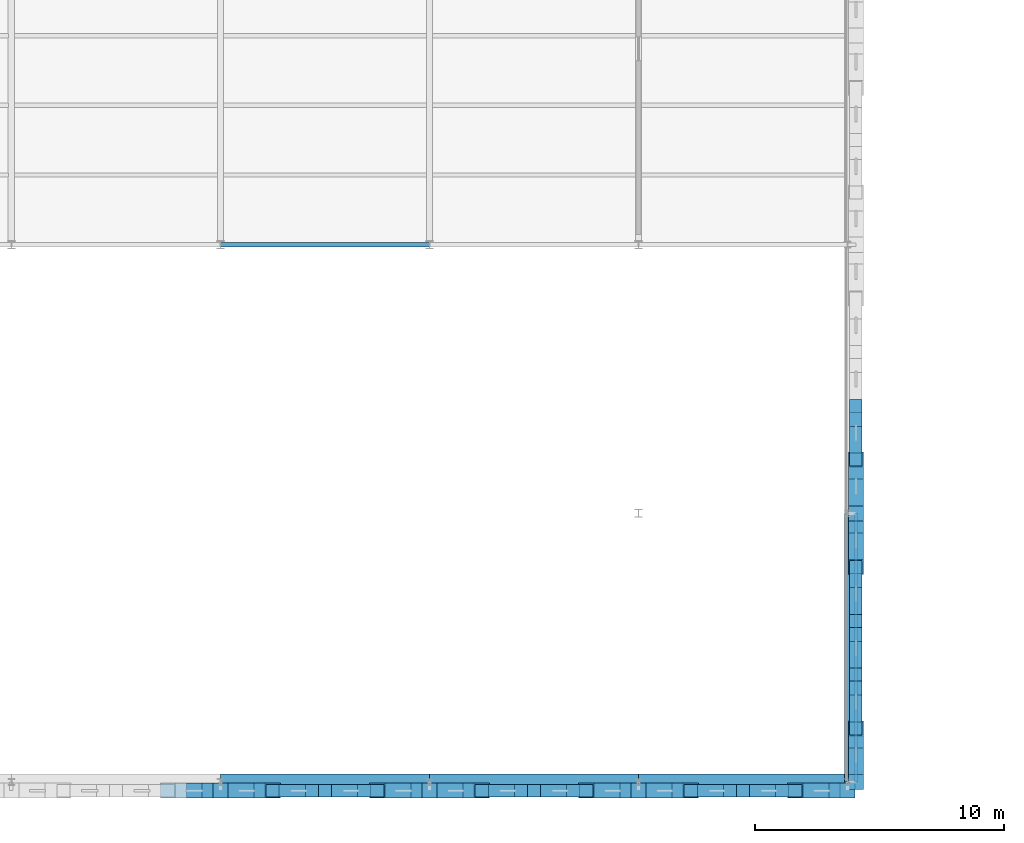
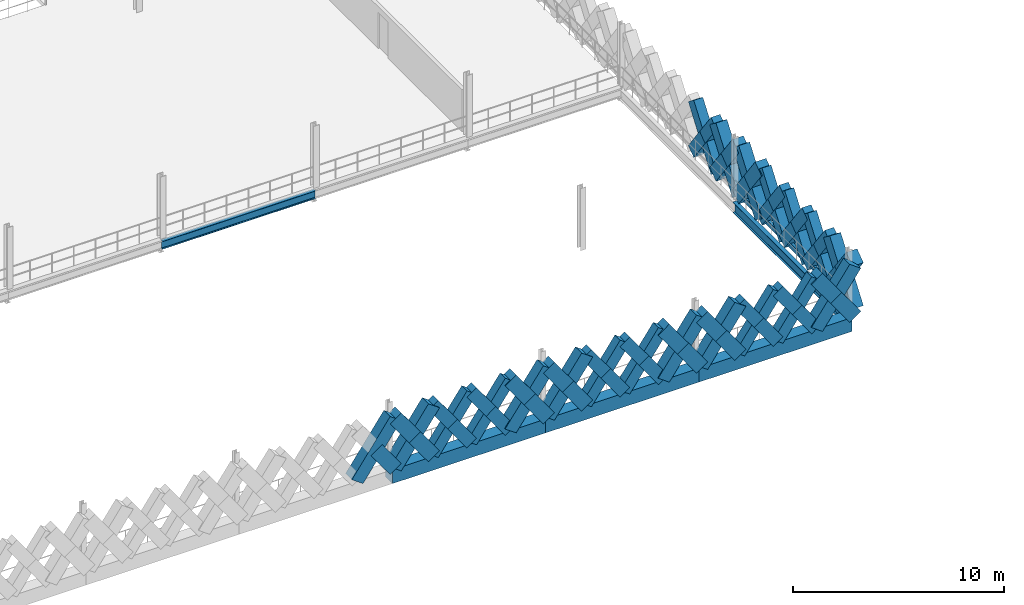
# One storey, part 18 of 47: 60 members, 5 beams.
"""IFC4 building model written with IfcOpenShell, lengths in metres."""

from ifc_helpers import new_model, si_unit, direction, frame, origin, origin_2d, place, context, subcontext, project, spatial, rectangle, hollow_rectangle, i_section, extrude, material, material_profile, profile_set, type_object, element, save


model = new_model("IFC4")

# Units and contexts
model_context = context("Model", 3, precision=1e-05, world=origin(), true_north=direction((0.0, 1.0)))
body_context = subcontext(model_context, "Body", "Model", "MODEL_VIEW")
ifc_project = project(units=[si_unit("LENGTHUNIT", "METRE"), si_unit("AREAUNIT", "SQUARE_METRE"), si_unit("VOLUMEUNIT", "CUBIC_METRE"), si_unit("PLANEANGLEUNIT", "RADIAN"), si_unit("MASSUNIT", "GRAM", prefix="KILO"), si_unit("THERMODYNAMICTEMPERATUREUNIT", "KELVIN"), si_unit("POWERUNIT", "WATT")], contexts=[model_context])

# Site, building, storey
site_placement = place(None, origin())
site = spatial("IfcSite", under=ifc_project, at=site_placement, CompositionType="ELEMENT")
building_placement = place(site_placement, origin())
building = spatial("IfcBuilding", under=site, at=building_placement, Name="Tembeka Court Mobility Hub", CompositionType="ELEMENT")
storey_placement = place(building_placement, frame((0.0, 0.0, 19.800048828125)))
storey = spatial("IfcBuildingStorey", under=building, at=storey_placement, Name="L05", CompositionType="ELEMENT", Elevation=19.800048828125)

# Beams
ifc_material_1 = material(Name="Steel S355", Category="steel")
ifc_material_profile_1 = material_profile(ifc_material_1, i_section(OverallWidth=0.18994140625, OverallDepth=0.45703125, WebThickness=0.009033203125, FlangeThickness=0.014404296875, FilletRadius=0.01025390625, at=origin_2d()), Name="UKB 457x191x74")
ifc_profile_set_1 = profile_set([ifc_material_profile_1], Name="Steel S355")
beam_type_1 = type_object("IfcBeamType", Name="BM-B01", PredefinedType="BEAM", material=ifc_profile_set_1)
beam_1_placement = place(storey_placement, frame((67.199951171875, 21.60009765625, -0.448486328125), z_axis=(1.0, 0.0, 0.0), x_axis=(0.0, 1.0, 0.0)))
element("IfcBeam", 1, at=beam_1_placement, inside=storey, type_object=beam_type_1, Name="Beam B01 (BM-L05-X2685)", PredefinedType="BEAM", context=body_context, shape_type="SweptSolid", body=[
    extrude(i_section(OverallWidth=0.18994140625, OverallDepth=0.45703125, WebThickness=0.009033203125, FlangeThickness=0.014404296875, FilletRadius=0.01025390625, at=origin_2d()), origin(), (0.0, 0.0, 1.0), 8.400146484375),
])
ifc_material_profile_2 = material_profile(ifc_material_1, i_section(OverallWidth=0.22900390625, OverallDepth=0.612060546875, WebThickness=0.011962890625, FlangeThickness=0.01953125, FilletRadius=0.0126953125, at=origin_2d()), Name="UKB 610x229x125")
ifc_profile_set_2 = profile_set([ifc_material_profile_2], Name="Steel S355")
beam_type_2 = type_object("IfcBeamType", Name="BM-G02", PredefinedType="USERDEFINED", material=ifc_profile_set_2)
beam_2_placement = place(storey_placement, frame((92.39990234375, 0.0, -0.526123046875), z_axis=(0.0, 1.0, 0.0), x_axis=(-1.0, 0.0, 0.0)))
element("IfcBeam", 2, at=beam_2_placement, inside=storey, type_object=beam_type_2, Name="Beam G02 (BM-L05-Y2862)", ObjectType="GIRDER", PredefinedType="USERDEFINED", context=body_context, shape_type="SweptSolid", body=[
    extrude(i_section(OverallWidth=0.22900390625, OverallDepth=0.612060546875, WebThickness=0.011962890625, FlangeThickness=0.01953125, FilletRadius=0.0126953125, at=origin_2d()), origin(), (0.0, 0.0, 1.0), 10.800048828125),
])
ifc_material_2 = material(Name="Precast concrete C45/55", Category="concrete")
ifc_material_profile_3 = material_profile(ifc_material_2, rectangle(XDim=0.64990234375, YDim=0.800048828125, at=origin_2d()), Name="PC-SP 650x800")
ifc_profile_set_3 = profile_set([ifc_material_profile_3], Name="Precast concrete C45/55")
beam_type_3 = type_object("IfcBeamType", Name="BM-SP01", PredefinedType="SPANDREL", material=ifc_profile_set_3)
beam_3_placement = place(storey_placement, frame((67.199951171875, 0.0, -0.6201171875), z_axis=(1.0, 0.0, 0.0), x_axis=(0.0, 1.0, 0.0)))
element("IfcBeam", 3, at=beam_3_placement, inside=storey, type_object=beam_type_3, Name="Beam SP01 (BM-L05-X2666)", PredefinedType="SPANDREL", context=body_context, shape_type="SweptSolid", body=[
    extrude(rectangle(XDim=0.64990234375, YDim=0.800048828125, at=origin_2d()), origin(), (0.0, 0.0, 1.0), 8.400146484375),
])
for number, where, z_axis, x_axis, name in (
    (4, (75.60009765625, 0.0, -0.6201171875), (1.0, 0.0, 0.0), (0.0, 1.0, 0.0), "Beam SP01 (BM-L05-X2667)"),
    (5, (84.0, 0.0, -0.6201171875), (1.0, 0.0, 0.0), (0.0, 1.0, 0.0), "Beam SP01 (BM-L05-X2668)"),
):
    element("IfcBeam", number, at=place(storey_placement, frame(where, z_axis=z_axis, x_axis=x_axis)), inside=storey, type_object=beam_type_3, Name=name, PredefinedType="SPANDREL", context=body_context, shape_type="SweptSolid", body=[
        extrude(rectangle(XDim=0.64990234375, YDim=0.800048828125, at=origin_2d()), origin(), (0.0, 0.0, 1.0), 8.39990234375),
    ])

# Members
ifc_material_profile_4 = material_profile(ifc_material_2, rectangle(XDim=0.5, YDim=0.64990234375, at=origin_2d()), Name="PC-DIAG 500x650")
ifc_profile_set_4 = profile_set([ifc_material_profile_4], Name="Precast concrete C45/55")
member_type_1 = type_object("IfcMemberType", Name="MEM-DL01", PredefinedType="BRACE", material=ifc_profile_set_4)
member_1_placement = place(storey_placement, frame((69.300048828125, -0.340087890625, 0.02001953125), z_axis=(0.58253161945, 0.0, 0.812808041509), x_axis=(0.0, 1.0, 0.0)))
element("IfcMember", 6, at=member_1_placement, inside=storey, type_object=member_type_1, Name="Precast diamond lattice continuous strand DL01 (L05-822A)", PredefinedType="BRACE", context=body_context, shape_type="SweptSolid", body=[
    extrude(rectangle(XDim=0.5, YDim=0.64990234375, at=origin_2d()), origin(), (0.0, 0.0, 1.0), 3.604736328125),
])
member_2_placement = place(storey_placement, frame((71.39990234375, -0.340087890625, 0.02001953125), z_axis=(-0.582518941428, 0.0, 0.812817127574), x_axis=(0.0, -1.0, 0.0)))
element("IfcMember", 7, at=member_2_placement, inside=storey, type_object=member_type_1, Name="Precast diamond lattice split lower strand DL01 (L05-822B1)", PredefinedType="BRACE", context=body_context, shape_type="SweptSolid", body=[
    extrude(rectangle(XDim=0.5, YDim=0.64990234375, at=origin_2d()), origin(), (0.0, 0.0, 1.0), 1.80224609375),
])
member_3_placement = place(storey_placement, frame((70.35009765625, -0.340087890625, 1.48486328125), z_axis=(-0.582544294934, 0.0, 0.812798956963), x_axis=(0.0, -1.0, 0.0)))
element("IfcMember", 8, at=member_3_placement, inside=storey, type_object=member_type_1, Name="Precast diamond lattice split upper strand DL01 (L05-822B2)", PredefinedType="BRACE", context=body_context, shape_type="SweptSolid", body=[
    extrude(rectangle(XDim=0.5, YDim=0.64990234375, at=origin_2d()), origin(), (0.0, 0.0, 1.0), 1.802490234375),
])
member_4_placement = place(storey_placement, frame((71.39990234375, -0.340087890625, 0.02001953125), z_axis=(0.582576362011, 0.0, 0.812775973086), x_axis=(0.0, 1.0, 0.0)))
element("IfcMember", 9, at=member_4_placement, inside=storey, type_object=member_type_1, Name="Precast diamond lattice continuous strand DL01 (L05-823A)", PredefinedType="BRACE", context=body_context, shape_type="SweptSolid", body=[
    extrude(rectangle(XDim=0.5, YDim=0.64990234375, at=origin_2d()), origin(), (0.0, 0.0, 1.0), 3.604736328125),
])
member_5_placement = place(storey_placement, frame((73.5, -0.340087890625, 0.02001953125), z_axis=(-0.582608431711, 0.0, 0.812752985414), x_axis=(0.0, -1.0, 0.0)))
element("IfcMember", 10, at=member_5_placement, inside=storey, type_object=member_type_1, Name="Precast diamond lattice split lower strand DL01 (L05-823B1)", PredefinedType="BRACE", context=body_context, shape_type="SweptSolid", body=[
    extrude(rectangle(XDim=0.5, YDim=0.64990234375, at=origin_2d()), origin(), (0.0, 0.0, 1.0), 1.80224609375),
])
member_6_placement = place(storey_placement, frame((72.449951171875, -0.340087890625, 1.48486328125), z_axis=(-0.582544294934, 0.0, 0.812798956963), x_axis=(0.0, -1.0, 0.0)))
element("IfcMember", 11, at=member_6_placement, inside=storey, type_object=member_type_1, Name="Precast diamond lattice split upper strand DL01 (L05-823B2)", PredefinedType="BRACE", context=body_context, shape_type="SweptSolid", body=[
    extrude(rectangle(XDim=0.5, YDim=0.64990234375, at=origin_2d()), origin(), (0.0, 0.0, 1.0), 1.802490234375),
])
member_7_placement = place(storey_placement, frame((77.699951171875, -0.340087890625, 0.02001953125), z_axis=(0.582576362011, 0.0, 0.812775973086), x_axis=(0.0, 1.0, 0.0)))
element("IfcMember", 12, at=member_7_placement, inside=storey, type_object=member_type_1, Name="Precast diamond lattice continuous strand DL01 (L05-826A)", PredefinedType="BRACE", context=body_context, shape_type="SweptSolid", body=[
    extrude(rectangle(XDim=0.5, YDim=0.64990234375, at=origin_2d()), origin(), (0.0, 0.0, 1.0), 3.604736328125),
])
member_8_placement = place(storey_placement, frame((79.800048828125, -0.340087890625, 0.02001953125), z_axis=(-0.582608431711, 0.0, 0.812752985414), x_axis=(0.0, -1.0, 0.0)))
element("IfcMember", 13, at=member_8_placement, inside=storey, type_object=member_type_1, Name="Precast diamond lattice split lower strand DL01 (L05-826B1)", PredefinedType="BRACE", context=body_context, shape_type="SweptSolid", body=[
    extrude(rectangle(XDim=0.5, YDim=0.64990234375, at=origin_2d()), origin(), (0.0, 0.0, 1.0), 1.80224609375),
])
member_9_placement = place(storey_placement, frame((78.75, -0.340087890625, 1.48486328125), z_axis=(-0.582544294934, 0.0, 0.812798956963), x_axis=(0.0, -1.0, 0.0)))
element("IfcMember", 14, at=member_9_placement, inside=storey, type_object=member_type_1, Name="Precast diamond lattice split upper strand DL01 (L05-826B2)", PredefinedType="BRACE", context=body_context, shape_type="SweptSolid", body=[
    extrude(rectangle(XDim=0.5, YDim=0.64990234375, at=origin_2d()), origin(), (0.0, 0.0, 1.0), 1.802490234375),
])
member_10_placement = place(storey_placement, frame((79.800048828125, -0.340087890625, 0.02001953125), z_axis=(0.58253161945, 0.0, 0.812808041509), x_axis=(0.0, 1.0, 0.0)))
element("IfcMember", 15, at=member_10_placement, inside=storey, type_object=member_type_1, Name="Precast diamond lattice continuous strand DL01 (L05-827A)", PredefinedType="BRACE", context=body_context, shape_type="SweptSolid", body=[
    extrude(rectangle(XDim=0.5, YDim=0.64990234375, at=origin_2d()), origin(), (0.0, 0.0, 1.0), 3.604736328125),
])
member_11_placement = place(storey_placement, frame((81.89990234375, -0.340087890625, 0.02001953125), z_axis=(-0.582518941428, 0.0, 0.812817127574), x_axis=(0.0, -1.0, 0.0)))
element("IfcMember", 16, at=member_11_placement, inside=storey, type_object=member_type_1, Name="Precast diamond lattice split lower strand DL01 (L05-827B1)", PredefinedType="BRACE", context=body_context, shape_type="SweptSolid", body=[
    extrude(rectangle(XDim=0.5, YDim=0.64990234375, at=origin_2d()), origin(), (0.0, 0.0, 1.0), 1.80224609375),
])
member_12_placement = place(storey_placement, frame((80.85009765625, -0.340087890625, 1.48486328125), z_axis=(-0.582544294934, 0.0, 0.812798956963), x_axis=(0.0, -1.0, 0.0)))
element("IfcMember", 17, at=member_12_placement, inside=storey, type_object=member_type_1, Name="Precast diamond lattice split upper strand DL01 (L05-827B2)", PredefinedType="BRACE", context=body_context, shape_type="SweptSolid", body=[
    extrude(rectangle(XDim=0.5, YDim=0.64990234375, at=origin_2d()), origin(), (0.0, 0.0, 1.0), 1.802490234375),
])
member_13_placement = place(storey_placement, frame((86.10009765625, -0.340087890625, 0.02001953125), z_axis=(0.58253161945, 0.0, 0.812808041509), x_axis=(0.0, 1.0, 0.0)))
element("IfcMember", 18, at=member_13_placement, inside=storey, type_object=member_type_1, Name="Precast diamond lattice continuous strand DL01 (L05-830A)", PredefinedType="BRACE", context=body_context, shape_type="SweptSolid", body=[
    extrude(rectangle(XDim=0.5, YDim=0.64990234375, at=origin_2d()), origin(), (0.0, 0.0, 1.0), 3.604736328125),
])
member_14_placement = place(storey_placement, frame((88.199951171875, -0.340087890625, 0.02001953125), z_axis=(-0.582608431711, 0.0, 0.812752985414), x_axis=(0.0, -1.0, 0.0)))
element("IfcMember", 19, at=member_14_placement, inside=storey, type_object=member_type_1, Name="Precast diamond lattice split lower strand DL01 (L05-830B1)", PredefinedType="BRACE", context=body_context, shape_type="SweptSolid", body=[
    extrude(rectangle(XDim=0.5, YDim=0.64990234375, at=origin_2d()), origin(), (0.0, 0.0, 1.0), 1.80224609375),
])
member_15_placement = place(storey_placement, frame((87.14990234375, -0.340087890625, 1.48486328125), z_axis=(-0.582454804382, 0.0, 0.812863088627), x_axis=(0.0, -1.0, 0.0)))
element("IfcMember", 20, at=member_15_placement, inside=storey, type_object=member_type_1, Name="Precast diamond lattice split upper strand DL01 (L05-830B2)", PredefinedType="BRACE", context=body_context, shape_type="SweptSolid", body=[
    extrude(rectangle(XDim=0.5, YDim=0.64990234375, at=origin_2d()), origin(), (0.0, 0.0, 1.0), 1.802490234375),
])
member_16_placement = place(storey_placement, frame((88.199951171875, -0.340087890625, 0.02001953125), z_axis=(0.582576362011, 0.0, 0.812775973086), x_axis=(0.0, 1.0, 0.0)))
element("IfcMember", 21, at=member_16_placement, inside=storey, type_object=member_type_1, Name="Precast diamond lattice continuous strand DL01 (L05-831A)", PredefinedType="BRACE", context=body_context, shape_type="SweptSolid", body=[
    extrude(rectangle(XDim=0.5, YDim=0.64990234375, at=origin_2d()), origin(), (0.0, 0.0, 1.0), 3.604736328125),
])
member_17_placement = place(storey_placement, frame((90.300048828125, -0.340087890625, 0.02001953125), z_axis=(-0.582608431711, 0.0, 0.812752985414), x_axis=(0.0, -1.0, 0.0)))
element("IfcMember", 22, at=member_17_placement, inside=storey, type_object=member_type_1, Name="Precast diamond lattice split lower strand DL01 (L05-831B1)", PredefinedType="BRACE", context=body_context, shape_type="SweptSolid", body=[
    extrude(rectangle(XDim=0.5, YDim=0.64990234375, at=origin_2d()), origin(), (0.0, 0.0, 1.0), 1.80224609375),
])
member_18_placement = place(storey_placement, frame((89.25, -0.340087890625, 1.48486328125), z_axis=(-0.582544294934, 0.0, 0.812798956963), x_axis=(0.0, -1.0, 0.0)))
element("IfcMember", 23, at=member_18_placement, inside=storey, type_object=member_type_1, Name="Precast diamond lattice split upper strand DL01 (L05-831B2)", PredefinedType="BRACE", context=body_context, shape_type="SweptSolid", body=[
    extrude(rectangle(XDim=0.5, YDim=0.64990234375, at=origin_2d()), origin(), (0.0, 0.0, 1.0), 1.802490234375),
])
member_19_placement = place(storey_placement, frame((92.739990234375, 2.159912109375, 0.02001953125), z_axis=(0.0, 0.593423219328, 0.804890602978), x_axis=(-1.0, 0.0, 0.0)))
element("IfcMember", 24, at=member_19_placement, inside=storey, type_object=member_type_1, Name="Precast diamond lattice continuous strand DL01 (L05-934C)", PredefinedType="BRACE", context=body_context, shape_type="SweptSolid", body=[
    extrude(rectangle(XDim=0.5, YDim=0.64990234375, at=origin_2d()), origin(), (0.0, 0.0, 1.0), 3.64013671875),
])
for number, where, z_axis, x_axis, name in (
    (25, (92.739990234375, 4.320068359375, 0.02001953125), (0.0, -0.593455255298, 0.804866982773), (1.0, 0.0, 0.0), "Precast diamond lattice split lower strand DL01 (L05-934D1)"),
    (26, (92.739990234375, 3.239990234375, 1.48486328125), (0.0, -0.593391185876, 0.804914219358), (1.0, 0.0, 0.0), "Precast diamond lattice split upper strand DL01 (L05-934D2)"),
):
    element("IfcMember", number, at=place(storey_placement, frame(where, z_axis=z_axis, x_axis=x_axis)), inside=storey, type_object=member_type_1, Name=name, PredefinedType="BRACE", context=body_context, shape_type="SweptSolid", body=[
        extrude(rectangle(XDim=0.5, YDim=0.64990234375, at=origin_2d()), origin(), (0.0, 0.0, 1.0), 1.820068359375),
    ])
member_20_placement = place(storey_placement, frame((92.739990234375, 4.320068359375, 0.02001953125), z_axis=(0.0, 0.593379766398, 0.804922637792), x_axis=(-1.0, 0.0, 0.0)))
element("IfcMember", 27, at=member_20_placement, inside=storey, type_object=member_type_1, Name="Precast diamond lattice continuous strand DL01 (L05-935C)", PredefinedType="BRACE", context=body_context, shape_type="SweptSolid", body=[
    extrude(rectangle(XDim=0.5, YDim=0.64990234375, at=origin_2d()), origin(), (0.0, 0.0, 1.0), 3.64013671875),
])
for number, where, z_axis, x_axis, name in (
    (28, (92.739990234375, 6.47998046875, 0.02001953125), (0.0, -0.593455255298, 0.804866982773), (1.0, 0.0, 0.0), "Precast diamond lattice split lower strand DL01 (L05-935D1)"),
    (29, (92.739990234375, 5.39990234375, 1.48486328125), (0.0, -0.593304274421, 0.804978284151), (1.0, 0.0, 0.0), "Precast diamond lattice split upper strand DL01 (L05-935D2)"),
):
    element("IfcMember", number, at=place(storey_placement, frame(where, z_axis=z_axis, x_axis=x_axis)), inside=storey, type_object=member_type_1, Name=name, PredefinedType="BRACE", context=body_context, shape_type="SweptSolid", body=[
        extrude(rectangle(XDim=0.5, YDim=0.64990234375, at=origin_2d()), origin(), (0.0, 0.0, 1.0), 1.820068359375),
    ])
member_21_placement = place(storey_placement, frame((92.739990234375, 6.47998046875, 0.02001953125), z_axis=(0.0, 0.593379766398, 0.804922637792), x_axis=(-1.0, 0.0, 0.0)))
element("IfcMember", 30, at=member_21_placement, inside=storey, type_object=member_type_1, Name="Precast diamond lattice continuous strand DL01 (L05-936C)", PredefinedType="BRACE", context=body_context, shape_type="SweptSolid", body=[
    extrude(rectangle(XDim=0.5, YDim=0.64990234375, at=origin_2d()), origin(), (0.0, 0.0, 1.0), 3.64013671875),
])
member_22_placement = place(storey_placement, frame((92.739990234375, 8.639892578125, 0.02001953125), z_axis=(0.0, -0.593368344659, 0.804931057642), x_axis=(1.0, 0.0, 0.0)))
element("IfcMember", 31, at=member_22_placement, inside=storey, type_object=member_type_1, Name="Precast diamond lattice split lower strand DL01 (L05-936D1)", PredefinedType="BRACE", context=body_context, shape_type="SweptSolid", body=[
    extrude(rectangle(XDim=0.5, YDim=0.64990234375, at=origin_2d()), origin(), (0.0, 0.0, 1.0), 1.81982421875),
])
member_23_placement = place(storey_placement, frame((92.739990234375, 7.56005859375, 1.48486328125), z_axis=(0.0, -0.593391185876, 0.804914219358), x_axis=(1.0, 0.0, 0.0)))
element("IfcMember", 32, at=member_23_placement, inside=storey, type_object=member_type_1, Name="Precast diamond lattice split upper strand DL01 (L05-936D2)", PredefinedType="BRACE", context=body_context, shape_type="SweptSolid", body=[
    extrude(rectangle(XDim=0.5, YDim=0.64990234375, at=origin_2d()), origin(), (0.0, 0.0, 1.0), 1.820068359375),
])
member_24_placement = place(storey_placement, frame((92.739990234375, 12.9599609375, 0.02001953125), z_axis=(0.0, 0.593423219328, 0.804890602978), x_axis=(-1.0, 0.0, 0.0)))
element("IfcMember", 33, at=member_24_placement, inside=storey, type_object=member_type_1, Name="Precast diamond lattice continuous strand DL01 (L05-939C)", PredefinedType="BRACE", context=body_context, shape_type="SweptSolid", body=[
    extrude(rectangle(XDim=0.5, YDim=0.64990234375, at=origin_2d()), origin(), (0.0, 0.0, 1.0), 3.64013671875),
])
for number, where, z_axis, x_axis, name in (
    (34, (92.739990234375, 15.1201171875, 0.02001953125), (0.0, -0.593455255298, 0.804866982773), (1.0, 0.0, 0.0), "Precast diamond lattice split lower strand DL01 (L05-939D1)"),
    (35, (92.739990234375, 14.0400390625, 1.48486328125), (0.0, -0.593391185876, 0.804914219358), (1.0, 0.0, 0.0), "Precast diamond lattice split upper strand DL01 (L05-939D2)"),
):
    element("IfcMember", number, at=place(storey_placement, frame(where, z_axis=z_axis, x_axis=x_axis)), inside=storey, type_object=member_type_1, Name=name, PredefinedType="BRACE", context=body_context, shape_type="SweptSolid", body=[
        extrude(rectangle(XDim=0.5, YDim=0.64990234375, at=origin_2d()), origin(), (0.0, 0.0, 1.0), 1.820068359375),
    ])
ifc_material_profile_5 = material_profile(ifc_material_2, rectangle(XDim=0.60009765625, YDim=0.75, at=origin_2d()), Name="PC-DIAG 600x750")
ifc_profile_set_5 = profile_set([ifc_material_profile_5], Name="Precast concrete C45/55")
member_type_2 = type_object("IfcMemberType", Name="MEM-DL02", PredefinedType="BRACE", material=ifc_profile_set_5)
member_25_placement = place(storey_placement, frame((65.10009765625, -0.340087890625, 0.02001953125), z_axis=(0.58253161945, 0.0, 0.812808041509), x_axis=(0.0, 1.0, 0.0)))
element("IfcMember", 36, at=member_25_placement, inside=storey, type_object=member_type_2, Name="Precast diamond lattice continuous strand DL02 (L05-820A)", PredefinedType="BRACE", context=body_context, shape_type="SweptSolid", body=[
    extrude(rectangle(XDim=0.60009765625, YDim=0.75, at=origin_2d()), origin(), (0.0, 0.0, 1.0), 3.604736328125),
])
member_26_placement = place(storey_placement, frame((67.199951171875, -0.340087890625, 0.02001953125), z_axis=(-0.582608431711, 0.0, 0.812752985414), x_axis=(0.0, -1.0, 0.0)))
element("IfcMember", 37, at=member_26_placement, inside=storey, type_object=member_type_2, Name="Precast diamond lattice split lower strand DL02 (L05-820B1)", PredefinedType="BRACE", context=body_context, shape_type="SweptSolid", body=[
    extrude(rectangle(XDim=0.60009765625, YDim=0.75, at=origin_2d()), origin(), (0.0, 0.0, 1.0), 1.80224609375),
])
member_27_placement = place(storey_placement, frame((67.199951171875, -0.340087890625, 0.02001953125), z_axis=(0.582576362011, 0.0, 0.812775973086), x_axis=(0.0, 1.0, 0.0)))
element("IfcMember", 38, at=member_27_placement, inside=storey, type_object=member_type_2, Name="Precast diamond lattice continuous strand DL02 (L05-821A)", PredefinedType="BRACE", context=body_context, shape_type="SweptSolid", body=[
    extrude(rectangle(XDim=0.60009765625, YDim=0.75, at=origin_2d()), origin(), (0.0, 0.0, 1.0), 3.604736328125),
])
member_28_placement = place(storey_placement, frame((69.300048828125, -0.340087890625, 0.02001953125), z_axis=(-0.582608431711, 0.0, 0.812752985414), x_axis=(0.0, -1.0, 0.0)))
element("IfcMember", 39, at=member_28_placement, inside=storey, type_object=member_type_2, Name="Precast diamond lattice split lower strand DL02 (L05-821B1)", PredefinedType="BRACE", context=body_context, shape_type="SweptSolid", body=[
    extrude(rectangle(XDim=0.60009765625, YDim=0.75, at=origin_2d()), origin(), (0.0, 0.0, 1.0), 1.80224609375),
])
member_29_placement = place(storey_placement, frame((68.25, -0.340087890625, 1.48486328125), z_axis=(-0.582544294934, 0.0, 0.812798956963), x_axis=(0.0, -1.0, 0.0)))
element("IfcMember", 40, at=member_29_placement, inside=storey, type_object=member_type_2, Name="Precast diamond lattice split upper strand DL02 (L05-821B2)", PredefinedType="BRACE", context=body_context, shape_type="SweptSolid", body=[
    extrude(rectangle(XDim=0.60009765625, YDim=0.75, at=origin_2d()), origin(), (0.0, 0.0, 1.0), 1.802490234375),
])
member_30_placement = place(storey_placement, frame((73.5, -0.340087890625, 0.02001953125), z_axis=(0.582576362011, 0.0, 0.812775973086), x_axis=(0.0, 1.0, 0.0)))
element("IfcMember", 41, at=member_30_placement, inside=storey, type_object=member_type_2, Name="Precast diamond lattice continuous strand DL02 (L05-824A)", PredefinedType="BRACE", context=body_context, shape_type="SweptSolid", body=[
    extrude(rectangle(XDim=0.60009765625, YDim=0.75, at=origin_2d()), origin(), (0.0, 0.0, 1.0), 3.604736328125),
])
member_31_placement = place(storey_placement, frame((75.60009765625, -0.340087890625, 0.02001953125), z_axis=(-0.582608431711, 0.0, 0.812752985414), x_axis=(0.0, -1.0, 0.0)))
element("IfcMember", 42, at=member_31_placement, inside=storey, type_object=member_type_2, Name="Precast diamond lattice split lower strand DL02 (L05-824B1)", PredefinedType="BRACE", context=body_context, shape_type="SweptSolid", body=[
    extrude(rectangle(XDim=0.60009765625, YDim=0.75, at=origin_2d()), origin(), (0.0, 0.0, 1.0), 1.80224609375),
])
member_32_placement = place(storey_placement, frame((74.550048828125, -0.340087890625, 1.48486328125), z_axis=(-0.582544294934, 0.0, 0.812798956963), x_axis=(0.0, -1.0, 0.0)))
element("IfcMember", 43, at=member_32_placement, inside=storey, type_object=member_type_2, Name="Precast diamond lattice split upper strand DL02 (L05-824B2)", PredefinedType="BRACE", context=body_context, shape_type="SweptSolid", body=[
    extrude(rectangle(XDim=0.60009765625, YDim=0.75, at=origin_2d()), origin(), (0.0, 0.0, 1.0), 1.802490234375),
])
member_33_placement = place(storey_placement, frame((75.60009765625, -0.340087890625, 0.02001953125), z_axis=(0.58253161945, 0.0, 0.812808041509), x_axis=(0.0, 1.0, 0.0)))
element("IfcMember", 44, at=member_33_placement, inside=storey, type_object=member_type_2, Name="Precast diamond lattice continuous strand DL02 (L05-825A)", PredefinedType="BRACE", context=body_context, shape_type="SweptSolid", body=[
    extrude(rectangle(XDim=0.60009765625, YDim=0.75, at=origin_2d()), origin(), (0.0, 0.0, 1.0), 3.604736328125),
])
member_34_placement = place(storey_placement, frame((77.699951171875, -0.340087890625, 0.02001953125), z_axis=(-0.582608431711, 0.0, 0.812752985414), x_axis=(0.0, -1.0, 0.0)))
element("IfcMember", 45, at=member_34_placement, inside=storey, type_object=member_type_2, Name="Precast diamond lattice split lower strand DL02 (L05-825B1)", PredefinedType="BRACE", context=body_context, shape_type="SweptSolid", body=[
    extrude(rectangle(XDim=0.60009765625, YDim=0.75, at=origin_2d()), origin(), (0.0, 0.0, 1.0), 1.80224609375),
])
member_35_placement = place(storey_placement, frame((76.64990234375, -0.340087890625, 1.48486328125), z_axis=(-0.582454804382, 0.0, 0.812863088627), x_axis=(0.0, -1.0, 0.0)))
element("IfcMember", 46, at=member_35_placement, inside=storey, type_object=member_type_2, Name="Precast diamond lattice split upper strand DL02 (L05-825B2)", PredefinedType="BRACE", context=body_context, shape_type="SweptSolid", body=[
    extrude(rectangle(XDim=0.60009765625, YDim=0.75, at=origin_2d()), origin(), (0.0, 0.0, 1.0), 1.802490234375),
])
member_36_placement = place(storey_placement, frame((81.89990234375, -0.340087890625, 0.02001953125), z_axis=(0.582576362011, 0.0, 0.812775973086), x_axis=(0.0, 1.0, 0.0)))
element("IfcMember", 47, at=member_36_placement, inside=storey, type_object=member_type_2, Name="Precast diamond lattice continuous strand DL02 (L05-828A)", PredefinedType="BRACE", context=body_context, shape_type="SweptSolid", body=[
    extrude(rectangle(XDim=0.60009765625, YDim=0.75, at=origin_2d()), origin(), (0.0, 0.0, 1.0), 3.604736328125),
])
member_37_placement = place(storey_placement, frame((84.0, -0.340087890625, 0.02001953125), z_axis=(-0.582608431711, 0.0, 0.812752985414), x_axis=(0.0, -1.0, 0.0)))
element("IfcMember", 48, at=member_37_placement, inside=storey, type_object=member_type_2, Name="Precast diamond lattice split lower strand DL02 (L05-828B1)", PredefinedType="BRACE", context=body_context, shape_type="SweptSolid", body=[
    extrude(rectangle(XDim=0.60009765625, YDim=0.75, at=origin_2d()), origin(), (0.0, 0.0, 1.0), 1.80224609375),
])
member_38_placement = place(storey_placement, frame((82.949951171875, -0.340087890625, 1.48486328125), z_axis=(-0.582544294934, 0.0, 0.812798956963), x_axis=(0.0, -1.0, 0.0)))
element("IfcMember", 49, at=member_38_placement, inside=storey, type_object=member_type_2, Name="Precast diamond lattice split upper strand DL02 (L05-828B2)", PredefinedType="BRACE", context=body_context, shape_type="SweptSolid", body=[
    extrude(rectangle(XDim=0.60009765625, YDim=0.75, at=origin_2d()), origin(), (0.0, 0.0, 1.0), 1.802490234375),
])
member_39_placement = place(storey_placement, frame((84.0, -0.340087890625, 0.02001953125), z_axis=(0.582576362011, 0.0, 0.812775973086), x_axis=(0.0, 1.0, 0.0)))
element("IfcMember", 50, at=member_39_placement, inside=storey, type_object=member_type_2, Name="Precast diamond lattice continuous strand DL02 (L05-829A)", PredefinedType="BRACE", context=body_context, shape_type="SweptSolid", body=[
    extrude(rectangle(XDim=0.60009765625, YDim=0.75, at=origin_2d()), origin(), (0.0, 0.0, 1.0), 3.604736328125),
])
member_40_placement = place(storey_placement, frame((86.10009765625, -0.340087890625, 0.02001953125), z_axis=(-0.582608431711, 0.0, 0.812752985414), x_axis=(0.0, -1.0, 0.0)))
element("IfcMember", 51, at=member_40_placement, inside=storey, type_object=member_type_2, Name="Precast diamond lattice split lower strand DL02 (L05-829B1)", PredefinedType="BRACE", context=body_context, shape_type="SweptSolid", body=[
    extrude(rectangle(XDim=0.60009765625, YDim=0.75, at=origin_2d()), origin(), (0.0, 0.0, 1.0), 1.80224609375),
])
member_41_placement = place(storey_placement, frame((85.050048828125, -0.340087890625, 1.48486328125), z_axis=(-0.582544294934, 0.0, 0.812798956963), x_axis=(0.0, -1.0, 0.0)))
element("IfcMember", 52, at=member_41_placement, inside=storey, type_object=member_type_2, Name="Precast diamond lattice split upper strand DL02 (L05-829B2)", PredefinedType="BRACE", context=body_context, shape_type="SweptSolid", body=[
    extrude(rectangle(XDim=0.60009765625, YDim=0.75, at=origin_2d()), origin(), (0.0, 0.0, 1.0), 1.802490234375),
])
member_42_placement = place(storey_placement, frame((90.300048828125, -0.340087890625, 0.02001953125), z_axis=(0.58253161945, 0.0, 0.812808041509), x_axis=(0.0, 1.0, 0.0)))
element("IfcMember", 53, at=member_42_placement, inside=storey, type_object=member_type_2, Name="Precast diamond lattice continuous strand DL02 (L05-832A)", PredefinedType="BRACE", context=body_context, shape_type="SweptSolid", body=[
    extrude(rectangle(XDim=0.60009765625, YDim=0.75, at=origin_2d()), origin(), (0.0, 0.0, 1.0), 3.604736328125),
])
member_43_placement = place(storey_placement, frame((92.39990234375, -0.340087890625, 0.02001953125), z_axis=(-0.582518941428, 0.0, 0.812817127574), x_axis=(0.0, -1.0, 0.0)))
element("IfcMember", 54, at=member_43_placement, inside=storey, type_object=member_type_2, Name="Precast diamond lattice split lower strand DL02 (L05-832B1)", PredefinedType="BRACE", context=body_context, shape_type="SweptSolid", body=[
    extrude(rectangle(XDim=0.60009765625, YDim=0.75, at=origin_2d()), origin(), (0.0, 0.0, 1.0), 1.80224609375),
])
member_44_placement = place(storey_placement, frame((91.35009765625, -0.340087890625, 1.48486328125), z_axis=(-0.582544294934, 0.0, 0.812798956963), x_axis=(0.0, -1.0, 0.0)))
element("IfcMember", 55, at=member_44_placement, inside=storey, type_object=member_type_2, Name="Precast diamond lattice split upper strand DL02 (L05-832B2)", PredefinedType="BRACE", context=body_context, shape_type="SweptSolid", body=[
    extrude(rectangle(XDim=0.60009765625, YDim=0.75, at=origin_2d()), origin(), (0.0, 0.0, 1.0), 1.802490234375),
])
member_45_placement = place(storey_placement, frame((92.739990234375, 0.0, 0.02001953125), z_axis=(0.0, 0.593379766398, 0.804922637792), x_axis=(-1.0, 0.0, 0.0)))
element("IfcMember", 56, at=member_45_placement, inside=storey, type_object=member_type_2, Name="Precast diamond lattice continuous strand DL02 (L05-933C)", PredefinedType="BRACE", context=body_context, shape_type="SweptSolid", body=[
    extrude(rectangle(XDim=0.60009765625, YDim=0.75, at=origin_2d()), origin(), (0.0, 0.0, 1.0), 3.64013671875),
])
member_46_placement = place(storey_placement, frame((92.739990234375, 2.159912109375, 0.02001953125), z_axis=(0.0, -0.593368344659, 0.804931057642), x_axis=(1.0, 0.0, 0.0)))
element("IfcMember", 57, at=member_46_placement, inside=storey, type_object=member_type_2, Name="Precast diamond lattice split lower strand DL02 (L05-933D1)", PredefinedType="BRACE", context=body_context, shape_type="SweptSolid", body=[
    extrude(rectangle(XDim=0.60009765625, YDim=0.75, at=origin_2d()), origin(), (0.0, 0.0, 1.0), 1.81982421875),
])
member_47_placement = place(storey_placement, frame((92.739990234375, 1.080078125, 1.48486328125), z_axis=(0.0, -0.593391185876, 0.804914219358), x_axis=(1.0, 0.0, 0.0)))
element("IfcMember", 58, at=member_47_placement, inside=storey, type_object=member_type_2, Name="Precast diamond lattice split upper strand DL02 (L05-933D2)", PredefinedType="BRACE", context=body_context, shape_type="SweptSolid", body=[
    extrude(rectangle(XDim=0.60009765625, YDim=0.75, at=origin_2d()), origin(), (0.0, 0.0, 1.0), 1.820068359375),
])
member_48_placement = place(storey_placement, frame((92.739990234375, 8.639892578125, 0.02001953125), z_axis=(0.0, 0.593423219328, 0.804890602978), x_axis=(-1.0, 0.0, 0.0)))
element("IfcMember", 59, at=member_48_placement, inside=storey, type_object=member_type_2, Name="Precast diamond lattice continuous strand DL02 (L05-937C)", PredefinedType="BRACE", context=body_context, shape_type="SweptSolid", body=[
    extrude(rectangle(XDim=0.60009765625, YDim=0.75, at=origin_2d()), origin(), (0.0, 0.0, 1.0), 3.64013671875),
])
for number, where, z_axis, x_axis, name in (
    (60, (92.739990234375, 10.800048828125, 0.02001953125), (0.0, -0.593455255298, 0.804866982773), (1.0, 0.0, 0.0), "Precast diamond lattice split lower strand DL02 (L05-937D1)"),
    (61, (92.739990234375, 9.719970703125, 1.48486328125), (0.0, -0.593391185876, 0.804914219358), (1.0, 0.0, 0.0), "Precast diamond lattice split upper strand DL02 (L05-937D2)"),
):
    element("IfcMember", number, at=place(storey_placement, frame(where, z_axis=z_axis, x_axis=x_axis)), inside=storey, type_object=member_type_2, Name=name, PredefinedType="BRACE", context=body_context, shape_type="SweptSolid", body=[
        extrude(rectangle(XDim=0.60009765625, YDim=0.75, at=origin_2d()), origin(), (0.0, 0.0, 1.0), 1.820068359375),
    ])
member_49_placement = place(storey_placement, frame((92.739990234375, 10.800048828125, 0.02001953125), z_axis=(0.0, 0.593379766398, 0.804922637792), x_axis=(-1.0, 0.0, 0.0)))
element("IfcMember", 62, at=member_49_placement, inside=storey, type_object=member_type_2, Name="Precast diamond lattice continuous strand DL02 (L05-938C)", PredefinedType="BRACE", context=body_context, shape_type="SweptSolid", body=[
    extrude(rectangle(XDim=0.60009765625, YDim=0.75, at=origin_2d()), origin(), (0.0, 0.0, 1.0), 3.64013671875),
])
for number, where, z_axis, x_axis, name in (
    (63, (92.739990234375, 12.9599609375, 0.02001953125), (0.0, -0.593455255298, 0.804866982773), (1.0, 0.0, 0.0), "Precast diamond lattice split lower strand DL02 (L05-938D1)"),
    (64, (92.739990234375, 11.8798828125, 1.48486328125), (0.0, -0.593304274421, 0.804978284151), (1.0, 0.0, 0.0), "Precast diamond lattice split upper strand DL02 (L05-938D2)"),
):
    element("IfcMember", number, at=place(storey_placement, frame(where, z_axis=z_axis, x_axis=x_axis)), inside=storey, type_object=member_type_2, Name=name, PredefinedType="BRACE", context=body_context, shape_type="SweptSolid", body=[
        extrude(rectangle(XDim=0.60009765625, YDim=0.75, at=origin_2d()), origin(), (0.0, 0.0, 1.0), 1.820068359375),
    ])
ifc_material_profile_6 = material_profile(ifc_material_1, hollow_rectangle(XDim=0.14990234375, YDim=0.300048828125, WallThickness=0.010009765625, at=origin_2d()), Name="RHS 300x150x10")
ifc_profile_set_6 = profile_set([ifc_material_profile_6], Name="Steel S355")
member_type_3 = type_object("IfcMemberType", Name="MEM-ST03", PredefinedType="STRUT", material=ifc_profile_set_6)
member_50_placement = place(storey_placement, frame((92.739990234375, 0.0, 0.02001953125), z_axis=(0.0, 1.0, 0.0), x_axis=(-1.0, 0.0, 0.0)))
element("IfcMember", 65, at=member_50_placement, inside=storey, type_object=member_type_3, Name="Proud lattice sill tie chord SR03 (L05-E-0)", PredefinedType="STRUT", context=body_context, shape_type="SweptSolid", body=[
    extrude(hollow_rectangle(XDim=0.14990234375, YDim=0.300048828125, WallThickness=0.010009765625, at=origin_2d()), origin(), (0.0, 0.0, 1.0), 10.800048828125),
])

save(model, "model.ifc")
